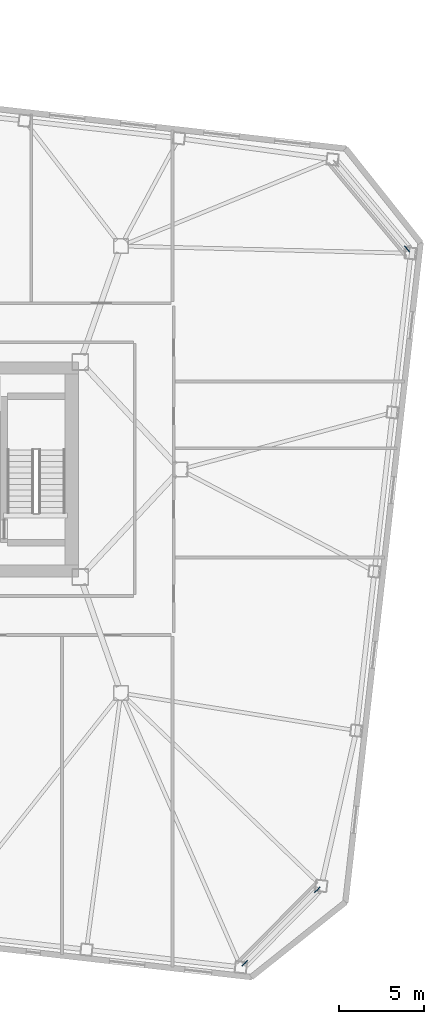
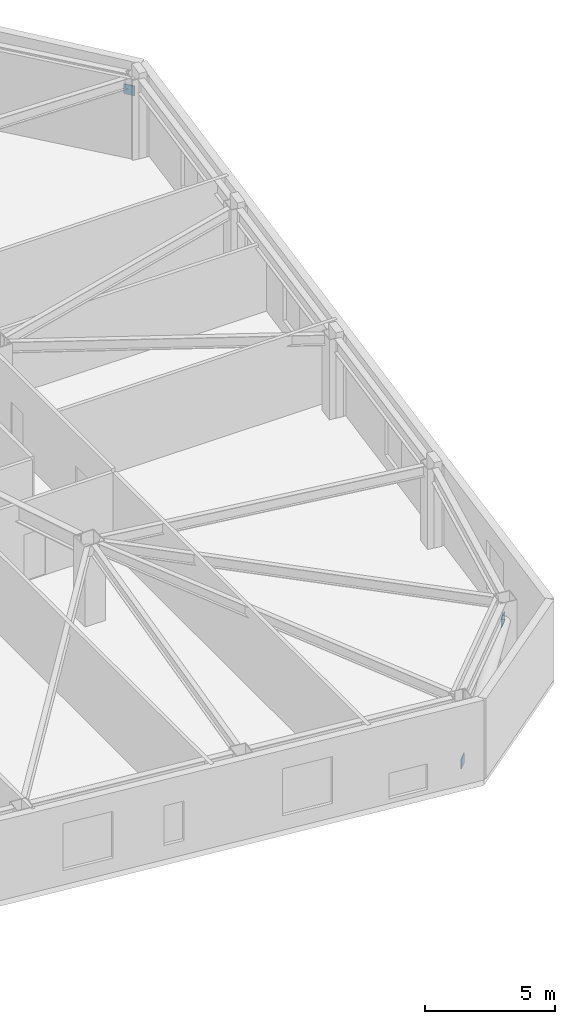
# One storey, part 17 of 19: 3 discrete accessories.
"""IFC4 building model written with IfcOpenShell, lengths in metres."""

from ifc_helpers import new_model, si_unit, direction, frame, origin, origin_2d, place, context, subcontext, project, spatial, rectangle, extrude, material, type_object, element, save


model = new_model("IFC4")

# Units and contexts
model_context = context("Model", 3, precision=1e-05, world=origin(), true_north=direction((0.0, 1.0)))
body_context = subcontext(model_context, "Body", "Model", "MODEL_VIEW")
ifc_project = project(units=[si_unit("LENGTHUNIT", "METRE"), si_unit("AREAUNIT", "SQUARE_METRE"), si_unit("VOLUMEUNIT", "CUBIC_METRE"), si_unit("PLANEANGLEUNIT", "RADIAN"), si_unit("MASSUNIT", "GRAM", prefix="KILO")], contexts=[model_context])

# Site, building, storey
site_placement = place(None, origin())
site = spatial("IfcSite", under=ifc_project, at=site_placement, CompositionType="ELEMENT")
building_placement = place(site_placement, origin())
building = spatial("IfcBuilding", under=site, at=building_placement, Name="Tavrogorsk Clinical Tower", CompositionType="ELEMENT")
storey_placement = place(building_placement, frame((0.0, 0.0, 101.39990234375)))
storey = spatial("IfcBuildingStorey", under=building, at=storey_placement, Name="L22", CompositionType="ELEMENT", Elevation=101.39990234375)

# Discrete accessories
ifc_material = material(Name="Structural steel S440", Category="steel")
discrete_accessory_type = type_object("IfcDiscreteAccessoryType", Name="GussetPlateBracket_25", PredefinedType="BRACKET", material=ifc_material)
for number, where, z_axis, x_axis, name in (
    (1, (31.81640625, -29.1650390625, 0.20458984375), (0.0, 0.0, 1.0), (0.702898299792, 0.711290362756, 0.0), "L22 Brace Gusset Plate EXOCRN-L22-1-A"),
    (2, (36.1025390625, -24.82763671875, 2.67578125), (0.0, 0.0, 1.0), (0.702898299792, 0.711290362756, 0.0), "L22 Brace Gusset Plate EXOCRN-L22-1-B"),
    (3, (41.40771484375, 13.03076171875, 2.68310546875), (0.0, 0.0, 1.0), (0.640243780506, -0.768171791674, 0.0), "L22 Brace Gusset Plate EXOCRN-L22-2-B"),
):
    element("IfcDiscreteAccessory", number, at=place(storey_placement, frame(where, z_axis=z_axis, x_axis=x_axis)), inside=storey, type_object=discrete_accessory_type, Name=name, PredefinedType="BRACKET", context=body_context, shape_type="SweptSolid", body=[
        extrude(rectangle(XDim=0.4599609375, YDim=0.0400390625, at=origin_2d()), origin(), (0.0, 0.0, 1.0), 0.4599609375),
    ])

save(model, "model.ifc")
